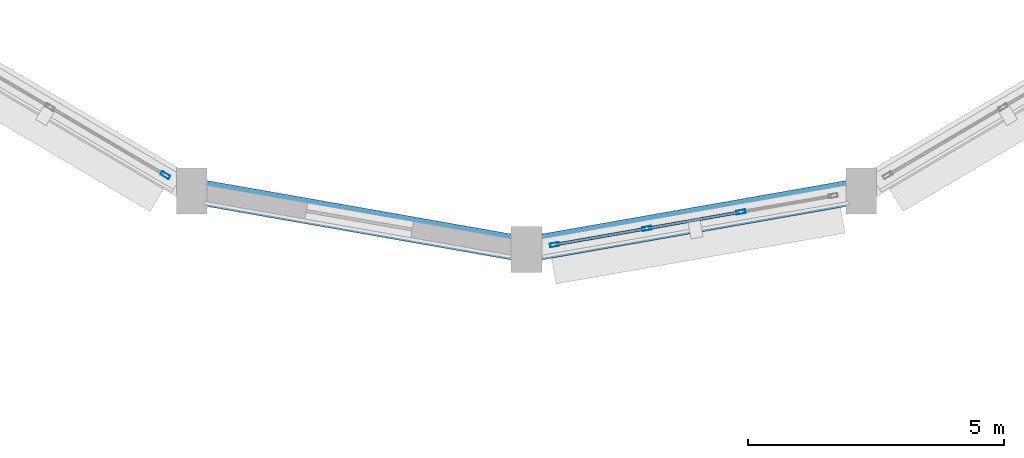
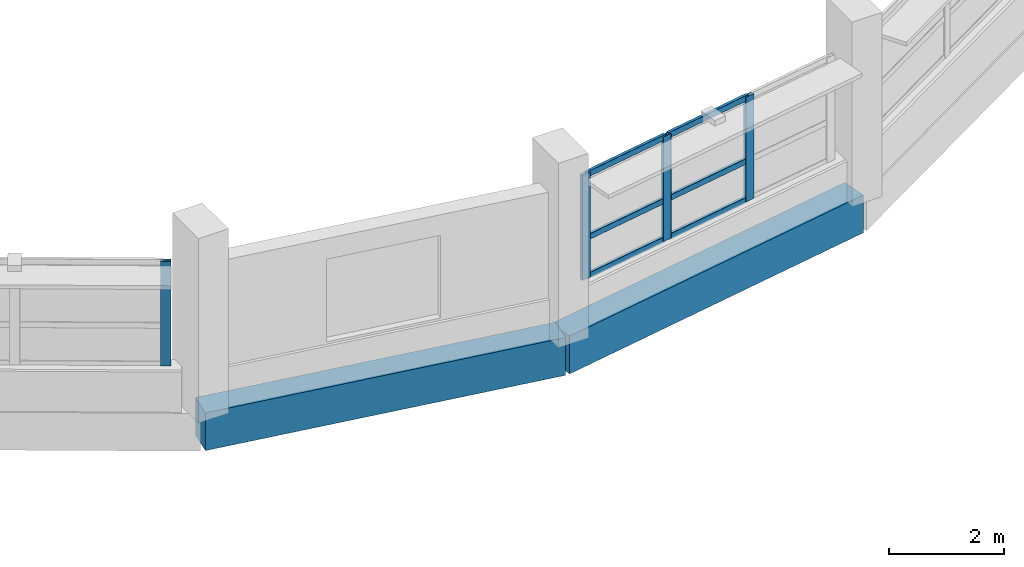
# One storey, part 81 of 121: 10 members, 2 beams, 2 elements without a shape of their own.
"""IFC4 building model written with IfcOpenShell, lengths in metres."""

from ifc_helpers import new_model, si_unit, direction, frame, origin, origin_2d, place, context, subcontext, project, spatial, rectangle, hollow_rectangle, extrude, material, layer, layer_set, material_profile, profile_set, type_object, element, aggregate, save


model = new_model("IFC4")

# Units and contexts
model_context = context("Model", 3, precision=1e-05, world=origin(), true_north=direction((0.0, 1.0)))
body_context = subcontext(model_context, "Body", "Model", "MODEL_VIEW")
ifc_project = project(units=[si_unit("LENGTHUNIT", "METRE"), si_unit("AREAUNIT", "SQUARE_METRE"), si_unit("VOLUMEUNIT", "CUBIC_METRE"), si_unit("PLANEANGLEUNIT", "RADIAN"), si_unit("MASSUNIT", "GRAM", prefix="KILO")], contexts=[model_context])

# Site, building, storey
site_placement = place(None, origin())
site = spatial("IfcSite", under=ifc_project, at=site_placement, CompositionType="ELEMENT")
building_placement = place(site_placement, origin())
building = spatial("IfcBuilding", under=site, at=building_placement, Name="Vespera Passage Community Centre", CompositionType="ELEMENT")
storey_placement = place(building_placement, frame((0.0, 0.0, 8.699951171875)))
storey = spatial("IfcBuildingStorey", under=building, at=storey_placement, Name="L02", CompositionType="ELEMENT", Elevation=8.699951171875)

# Beams
ifc_material_1 = material(Name="Concrete f'c 35 MPa", Category="concrete")
ifc_material_profile_1 = material_profile(ifc_material_1, rectangle(XDim=0.5, YDim=0.800048828125, at=origin_2d()), Name="RC500X800")
ifc_profile_set_1 = profile_set([ifc_material_profile_1], Name="Concrete f'c 35 MPa")
beam_type = type_object("IfcBeamType", Name="BM-SP-500X800E", PredefinedType="SPANDREL", material=ifc_profile_set_1)
for number, where, z_axis, x_axis, name in (
    (1, (136.4560546875, 75.54931640625, -0.39990234375), (0.984922333185, -0.172997102844, 0.0), (0.172997102844, 0.984922333185, 0.0), "V2 L02 Perimeter Spandrel 12"),
    (2, (143.0, 74.39990234375, -0.39990234375), (0.984922333185, 0.172997102844, 0.0), (-0.172997102844, 0.984922333185, 0.0), "V2 L02 Perimeter Spandrel 13"),
):
    element("IfcBeam", number, at=place(storey_placement, frame(where, z_axis=z_axis, x_axis=x_axis)), inside=storey, type_object=beam_type, Name=name, PredefinedType="SPANDREL", context=body_context, shape_type="SweptSolid", body=[
        extrude(rectangle(XDim=0.5, YDim=0.800048828125, at=origin_2d()), origin(), (0.0, 0.0, 1.0), 6.64404296875),
    ])

# Curtain wall, member
ifc_material_2 = material(Name="Anodized aluminium 6063-T6", Category="aluminium")
ifc_layer_1 = layer(ifc_material_2, 0.159912109375)
ifc_layer_set_1 = layer_set([ifc_layer_1], Name="Anodized aluminium 6063-T6")
curtain_wall_type_1 = type_object("IfcCurtainWallType", Name="CW-99E", PredefinedType="NOTDEFINED", material=ifc_layer_set_1)
curtain_wall_1_placement = place(storey_placement, origin())
curtain_wall_1 = element("IfcCurtainWall", 3, at=curtain_wall_1_placement, inside=storey, type_object=curtain_wall_type_1, Name="Sports Drum Ribbon Curtain Wall L02.11", PredefinedType="NOTDEFINED")
ifc_material_3 = material(Name="Anodized aluminium 6063-T6", Category="aluminium")
ifc_material_profile_2 = material_profile(ifc_material_3, hollow_rectangle(XDim=0.074951171875, YDim=0.179931640625, WallThickness=0.0048828125, InnerFilletRadius=0.00244140625, OuterFilletRadius=0.0048828125, at=origin_2d()), Name="ALU180X75X5")
ifc_profile_set_2 = profile_set([ifc_material_profile_2], Name="Anodized aluminium 6063-T6")
member_type_1 = type_object("IfcMemberType", Name="MB-CWM-180E", PredefinedType="MULLION", material=ifc_profile_set_2)
member_1_placement = place(storey_placement, frame((135.938720703125, 75.854736328125, 0.85009765625), z_axis=(0.0, 0.0, 1.0), x_axis=(-0.50817007737, -0.861256740157, 0.0)))
member_1 = element("IfcMember", 4, at=member_1_placement, type_object=member_type_1, Name="CW-99E mullion 1", PredefinedType="MULLION", context=body_context, shape_type="SweptSolid", body=[
    extrude(hollow_rectangle(XDim=0.074951171875, YDim=0.179931640625, WallThickness=0.0048828125, InnerFilletRadius=0.00244140625, OuterFilletRadius=0.0048828125, at=origin_2d()), origin(), (0.0, 0.0, 1.0), 2.21484375),
])
aggregate(curtain_wall_1, [member_1])

# Curtain wall, members
ifc_material_4 = material(Name="Anodized aluminium 6063-T6", Category="aluminium")
ifc_layer_2 = layer(ifc_material_4, 0.159912109375)
ifc_layer_set_2 = layer_set([ifc_layer_2], Name="Anodized aluminium 6063-T6")
curtain_wall_type_2 = type_object("IfcCurtainWallType", Name="CW-100E", PredefinedType="NOTDEFINED", material=ifc_layer_set_2)
curtain_wall_2_placement = place(storey_placement, origin())
curtain_wall_2 = element("IfcCurtainWall", 5, at=curtain_wall_2_placement, inside=storey, type_object=curtain_wall_type_2, Name="Sports Drum Ribbon Curtain Wall L02.13", PredefinedType="NOTDEFINED")
member_2_placement = place(storey_placement, frame((147.19189453125, 75.13623046875, 0.85009765625), z_axis=(0.0, 0.0, 1.0), x_axis=(0.172994429562, -0.984922802731, 0.0)))
member_2 = element("IfcMember", 6, at=member_2_placement, type_object=member_type_1, Name="CW-100E mullion 2", PredefinedType="MULLION", context=body_context, shape_type="SweptSolid", body=[
    extrude(hollow_rectangle(XDim=0.074951171875, YDim=0.179931640625, WallThickness=0.0048828125, InnerFilletRadius=0.00244140625, OuterFilletRadius=0.0048828125, at=origin_2d()), origin(), (0.0, 0.0, 1.0), 2.21484375),
])
member_3_placement = place(storey_placement, frame((145.351806640625, 74.81298828125, 0.85009765625), z_axis=(0.0, 0.0, 1.0), x_axis=(0.172994429562, -0.984922802731, 0.0)))
member_3 = element("IfcMember", 7, at=member_3_placement, type_object=member_type_1, Name="CW-100E mullion 3", PredefinedType="MULLION", context=body_context, shape_type="SweptSolid", body=[
    extrude(hollow_rectangle(XDim=0.074951171875, YDim=0.179931640625, WallThickness=0.0048828125, InnerFilletRadius=0.00244140625, OuterFilletRadius=0.0048828125, at=origin_2d()), origin(), (0.0, 0.0, 1.0), 2.21484375),
])
member_4_placement = place(storey_placement, frame((143.548828125, 74.496337890625, 0.85009765625), z_axis=(0.0, 0.0, 1.0), x_axis=(0.172994429562, -0.984922802731, 0.0)))
member_4 = element("IfcMember", 8, at=member_4_placement, type_object=member_type_1, Name="CW-100E mullion 4", PredefinedType="MULLION", context=body_context, shape_type="SweptSolid", body=[
    extrude(hollow_rectangle(XDim=0.074951171875, YDim=0.179931640625, WallThickness=0.0048828125, InnerFilletRadius=0.00244140625, OuterFilletRadius=0.0048828125, at=origin_2d()), origin(), (0.0, 0.0, 1.0), 2.21484375),
])
ifc_material_5 = material(Name="Anodized aluminium 6063-T6", Category="aluminium")
ifc_material_profile_3 = material_profile(ifc_material_5, hollow_rectangle(XDim=0.06005859375, YDim=0.1201171875, WallThickness=0.00390625, InnerFilletRadius=0.001953125, OuterFilletRadius=0.00390625, at=origin_2d()), Name="ALU120X60X4")
ifc_profile_set_3 = profile_set([ifc_material_profile_3], Name="Anodized aluminium 6063-T6")
member_type_2 = type_object("IfcMemberType", Name="MB-CWT-120E", PredefinedType="USERDEFINED", material=ifc_profile_set_3)
member_5_placement = place(storey_placement, frame((147.155029296875, 75.1298828125, 0.880126953125), z_axis=(-0.984913493542, -0.173047421937, 0.0), x_axis=(0.173047421937, -0.984913493542, 0.0)))
member_5 = element("IfcMember", 9, at=member_5_placement, type_object=member_type_2, Name="CW-100E transom 2.1", ObjectType="TRANSOM", PredefinedType="USERDEFINED", context=body_context, shape_type="SweptSolid", body=[
    extrude(hollow_rectangle(XDim=0.06005859375, YDim=0.1201171875, WallThickness=0.00390625, InnerFilletRadius=0.001953125, OuterFilletRadius=0.00390625, at=origin_2d()), origin(), (0.0, 0.0, 1.0), 1.793212890625),
])
member_6_placement = place(storey_placement, frame((147.155029296875, 75.1298828125, 1.699951171875), z_axis=(-0.984913493542, -0.173047421937, 0.0), x_axis=(0.173047421937, -0.984913493542, 0.0)))
member_6 = element("IfcMember", 10, at=member_6_placement, type_object=member_type_2, Name="CW-100E transom 2.2", ObjectType="TRANSOM", PredefinedType="USERDEFINED", context=body_context, shape_type="SweptSolid", body=[
    extrude(hollow_rectangle(XDim=0.06005859375, YDim=0.1201171875, WallThickness=0.00390625, InnerFilletRadius=0.001953125, OuterFilletRadius=0.00390625, at=origin_2d()), origin(), (0.0, 0.0, 1.0), 1.793212890625),
])
member_7_placement = place(storey_placement, frame((147.155029296875, 75.1298828125, 3.03515625), z_axis=(-0.984913493542, -0.173047421937, 0.0), x_axis=(0.173047421937, -0.984913493542, 0.0)))
member_7 = element("IfcMember", 11, at=member_7_placement, type_object=member_type_2, Name="CW-100E transom 2.3", ObjectType="TRANSOM", PredefinedType="USERDEFINED", context=body_context, shape_type="SweptSolid", body=[
    extrude(hollow_rectangle(XDim=0.06005859375, YDim=0.1201171875, WallThickness=0.00390625, InnerFilletRadius=0.001953125, OuterFilletRadius=0.00390625, at=origin_2d()), origin(), (0.0, 0.0, 1.0), 1.793212890625),
])
member_8_placement = place(storey_placement, frame((145.31494140625, 74.806640625, 0.880126953125), z_axis=(-0.984924620758, -0.172984078529, 0.0), x_axis=(0.172984078529, -0.984924620758, 0.0)))
member_8 = element("IfcMember", 12, at=member_8_placement, type_object=member_type_2, Name="CW-100E transom 3.1", ObjectType="TRANSOM", PredefinedType="USERDEFINED", context=body_context, shape_type="SweptSolid", body=[
    extrude(hollow_rectangle(XDim=0.06005859375, YDim=0.1201171875, WallThickness=0.00390625, InnerFilletRadius=0.001953125, OuterFilletRadius=0.00390625, at=origin_2d()), origin(), (0.0, 0.0, 1.0), 1.755615234375),
])
member_9_placement = place(storey_placement, frame((145.31494140625, 74.806640625, 1.699951171875), z_axis=(-0.984924620758, -0.172984078529, 0.0), x_axis=(0.172984078529, -0.984924620758, 0.0)))
member_9 = element("IfcMember", 13, at=member_9_placement, type_object=member_type_2, Name="CW-100E transom 3.2", ObjectType="TRANSOM", PredefinedType="USERDEFINED", context=body_context, shape_type="SweptSolid", body=[
    extrude(hollow_rectangle(XDim=0.06005859375, YDim=0.1201171875, WallThickness=0.00390625, InnerFilletRadius=0.001953125, OuterFilletRadius=0.00390625, at=origin_2d()), origin(), (0.0, 0.0, 1.0), 1.755615234375),
])
member_10_placement = place(storey_placement, frame((145.31494140625, 74.806640625, 3.03515625), z_axis=(-0.984924620758, -0.172984078529, 0.0), x_axis=(0.172984078529, -0.984924620758, 0.0)))
member_10 = element("IfcMember", 14, at=member_10_placement, type_object=member_type_2, Name="CW-100E transom 3.3", ObjectType="TRANSOM", PredefinedType="USERDEFINED", context=body_context, shape_type="SweptSolid", body=[
    extrude(hollow_rectangle(XDim=0.06005859375, YDim=0.1201171875, WallThickness=0.00390625, InnerFilletRadius=0.001953125, OuterFilletRadius=0.00390625, at=origin_2d()), origin(), (0.0, 0.0, 1.0), 1.755615234375),
])
aggregate(curtain_wall_2, [member_2, member_3, member_4, member_5, member_6, member_7, member_8, member_9, member_10])

save(model, "model.ifc")
